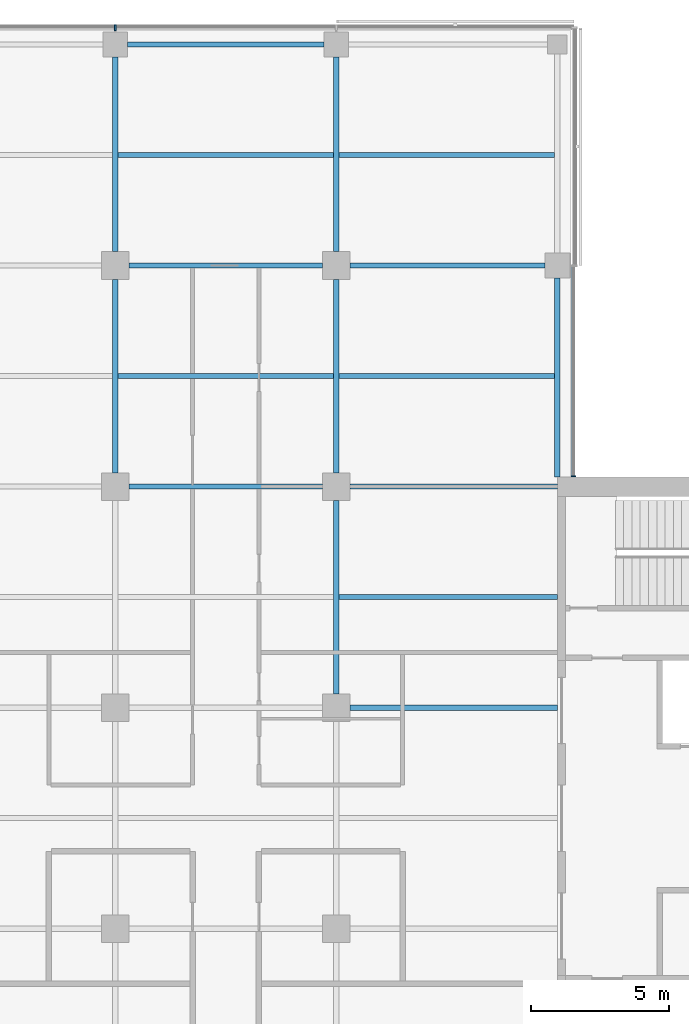
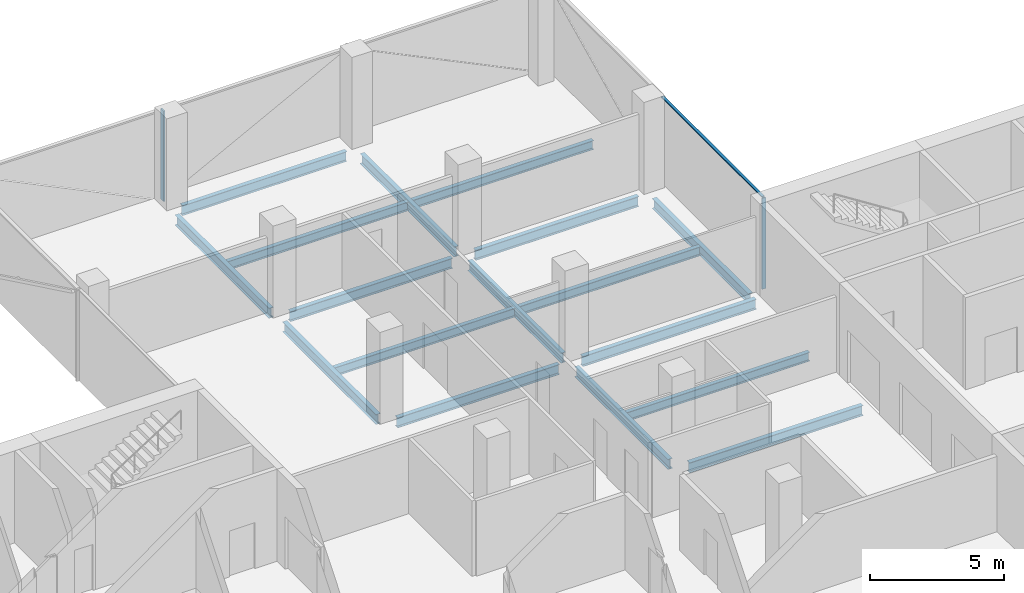
# One storey, part 9 of 22: 17 beams, 3 members, 2 elements without a shape of their own.
"""IFC4 building model written with IfcOpenShell, lengths in metres."""

import ifcopenshell
import ifcopenshell.guid

model = None  # the IFC model being written
_history = None  # IfcOwnerHistory: only IFC2X3 demands one
_inside = {}  # id of a spatial element -> (the spatial element, [elements in it])
_under = {}  # id of a project, library or spatial element -> (it, [spatial elements below it])
_declared = {}  # id of a project -> (the project, [libraries it declares])
_typed = {}  # id of a type object -> (the type object, [elements of that type])
_made_of = {}  # id of a material, layer set ... -> (it, [elements and type objects made of it])


def new_model(schema):
    """Start an empty IFC model of exactly this schema.

    Asked for "IFC4X3", IfcOpenShell would pick the latest addendum, in which some entities
    have other attributes; the version numbers below select the first issue.
    IFC2X3 requires an IfcOwnerHistory on every rooted entity: one is made here for all.
    """
    global model, _history
    if schema == "IFC4X3":
        model = ifcopenshell.file(schema_version=(4, 3, 0, 0))
    else:
        model = ifcopenshell.file(schema=schema)
    _inside.clear()
    _under.clear()
    _declared.clear()
    _typed.clear()
    _made_of.clear()
    _history = None
    if model.schema == "IFC2X3":
        org = make("IfcOrganization", Name="unknown")
        user = make(
            "IfcPersonAndOrganization",
            ThePerson=make("IfcPerson", FamilyName="unknown"),
            TheOrganization=org,
        )
        app = make(
            "IfcApplication",
            ApplicationDeveloper=org,
            Version="unknown",
            ApplicationFullName="unknown",
            ApplicationIdentifier="unknown",
        )
        _history = make(
            "IfcOwnerHistory",
            OwningUser=user,
            OwningApplication=app,
            ChangeAction="ADDED",
            CreationDate=0,
        )
    return model


def make(cls, **values):
    """One entity of the class cls with the attributes given. An attribute that is None is left unset."""
    return model.create_entity(
        cls, **{name: value for name, value in values.items() if value is not None}
    )


def rooted(cls, **values):
    """An entity with a GlobalId (a new one), such as an element, a storey or a relation."""
    return make(cls, GlobalId=ifcopenshell.guid.new(), OwnerHistory=_history, **values)


def si_unit(unit_type, name, prefix=None):
    """IfcSIUnit, for example si_unit("LENGTHUNIT", "METRE", prefix="MILLI")."""
    return make("IfcSIUnit", UnitType=unit_type, Prefix=prefix, Name=name)


def assignment(units):
    """IfcUnitAssignment: the units of a project."""
    return None if units is None else make("IfcUnitAssignment", Units=units)


def point(xyz):
    """IfcCartesianPoint."""
    return None if xyz is None else make("IfcCartesianPoint", Coordinates=xyz)


def direction(xyz):
    """IfcDirection."""
    return None if xyz is None else make("IfcDirection", DirectionRatios=xyz)


def frame(location, z_axis=None, x_axis=None):
    """IfcAxis2Placement3D, a coordinate frame: its origin and axes. An axis left out is left unset."""
    return make(
        "IfcAxis2Placement3D",
        Location=point(location),
        Axis=direction(z_axis),
        RefDirection=direction(x_axis),
    )


def frame_2d(location, x_axis=None):
    """IfcAxis2Placement2D, a coordinate frame in the plane: its origin and x axis."""
    return make(
        "IfcAxis2Placement2D", Location=point(location), RefDirection=direction(x_axis)
    )


def origin():
    """The frame at (0, 0, 0) with its axes left unset."""
    return frame((0.0, 0.0, 0.0))


def origin_2d():
    """The frame at (0, 0) in the plane with its x axis left unset."""
    return frame_2d((0.0, 0.0))


def place(relative_to, where):
    """IfcLocalPlacement: puts the frame where relative to a parent placement (None: the world)."""
    return make(
        "IfcLocalPlacement", PlacementRelTo=relative_to, RelativePlacement=where
    )


def context(
    kind, dimensions, precision=None, world=None, true_north=None, identifier=None
):
    """IfcGeometricRepresentationContext, for example the 3D "Model" context."""
    return make(
        "IfcGeometricRepresentationContext",
        ContextIdentifier=identifier,
        ContextType=kind,
        CoordinateSpaceDimension=dimensions,
        Precision=precision,
        WorldCoordinateSystem=world,
        TrueNorth=true_north,
    )


def subcontext(parent, identifier, kind, view, scale=None):
    """IfcGeometricRepresentationSubContext, for example "Body" below "Model"."""
    return make(
        "IfcGeometricRepresentationSubContext",
        ContextIdentifier=identifier,
        ContextType=kind,
        ParentContext=parent,
        TargetScale=scale,
        TargetView=view,
    )


def project(units=None, contexts=None):
    """IfcProject with its units and contexts."""
    return rooted(
        "IfcProject",
        Name="project",
        RepresentationContexts=contexts,
        UnitsInContext=assignment(units),
    )


def spatial(cls, under=None, at=None, **own):
    """A site, building, storey or space (cls), placed at a placement, below another one or the project."""
    s = rooted(cls, ObjectPlacement=at, **own)
    if under is not None:
        _under.setdefault(under.id(), (under, []))[1].append(s)
    return s


def profile(cls, at=None, kind="AREA", **sizes):
    """A parametric profile (cls). Its sizes go by their IFC names, for example OverallWidth=200.0."""
    return make(cls, ProfileType=kind, Position=at, **sizes)


def rectangle(**sizes):
    """IfcRectangleProfileDef."""
    return profile("IfcRectangleProfileDef", **sizes)


def i_section(**sizes):
    """IfcIShapeProfileDef."""
    return profile("IfcIShapeProfileDef", **sizes)


def extrude(swept, where, along, depth):
    """IfcExtrudedAreaSolid: the profile swept, set in the frame where, extruded along a direction by depth."""
    return make(
        "IfcExtrudedAreaSolid",
        SweptArea=swept,
        Position=where,
        ExtrudedDirection=direction(along),
        Depth=depth,
    )


def shape(context_of_items, identifier, shape_type, items):
    """IfcShapeRepresentation: the items that make up one representation, for example the "Body"."""
    return make(
        "IfcShapeRepresentation",
        ContextOfItems=context_of_items,
        RepresentationIdentifier=identifier,
        RepresentationType=shape_type,
        Items=items,
    )


def material(Name=None, Category=None):
    """IfcMaterial."""
    return make("IfcMaterial", Name=Name, Category=Category)


def material_profile(
    of_material, cross_section, Name=None, Category=None, Priority=None
):
    """IfcMaterialProfile: a cross section and its material."""
    return make(
        "IfcMaterialProfile",
        Name=Name,
        Material=of_material,
        Profile=cross_section,
        Priority=Priority,
        Category=Category,
    )


def profile_set(profiles, Name=None, composite=None):
    """IfcMaterialProfileSet."""
    return make(
        "IfcMaterialProfileSet",
        Name=Name,
        MaterialProfiles=profiles,
        CompositeProfile=composite,
    )


def made_of(thing, what):
    """Note that an element or type object is made of a material, layer set ...; save() writes the relation."""
    if what is not None:
        _made_of.setdefault(what.id(), (what, []))[1].append(thing)
    return thing


def type_object(cls, material=None, **own):
    """A type object (cls), such as IfcWallType, which elements share."""
    return made_of(rooted(cls, **own), material)


def element(
    cls,
    number,
    at=None,
    inside=None,
    cuts=None,
    type_object=None,
    material=None,
    context=None,
    identifier="Body",
    shape_type=None,
    held_by="IfcProductDefinitionShape",
    body=None,
    shapes=None,
    **own,
):
    """One element of the class cls, such as IfcWall. Its Tag is "e" and its number.

    at: its placement. inside: the storey or other place that contains it. cuts: it is an
    opening in that element (IfcRelVoidsElement). A single representation is given by context,
    identifier, shape_type and body (its items); several are given by shapes. held_by: the class
    of the entity that holds the representations. save() writes the other relations.
    """
    e = rooted(cls, Tag="e%d" % number, ObjectPlacement=at, **own)
    if body is not None:
        shapes = [shape(context, identifier, shape_type, body)]
    if shapes is not None:
        e.Representation = make(held_by, Representations=shapes)
    if inside is not None:
        _inside.setdefault(inside.id(), (inside, []))[1].append(e)
    if cuts is not None:
        rooted(
            "IfcRelVoidsElement", RelatingBuildingElement=cuts, RelatedOpeningElement=e
        )
    if type_object is not None:
        _typed.setdefault(type_object.id(), (type_object, []))[1].append(e)
    return made_of(e, material)


def aggregate(whole, parts):
    """IfcRelAggregates: a whole, such as a stair, and the parts it consists of."""
    return rooted("IfcRelAggregates", RelatingObject=whole, RelatedObjects=parts)


def save(model, path):
    """Write the relations noted so far, then the file.

    IfcRelAggregates (storeys below a building ...), IfcRelContainedInSpatialStructure (elements
    in a storey), IfcRelDefinesByType, IfcRelAssociatesMaterial and IfcRelDeclares: one each for
    every whole, place, type object, material and project.
    """
    for whole, parts in _under.values():
        aggregate(whole, parts)
    for where, things in _inside.values():
        rooted(
            "IfcRelContainedInSpatialStructure",
            RelatedElements=things,
            RelatingStructure=where,
        )
    for kind, things in _typed.values():
        rooted("IfcRelDefinesByType", RelatedObjects=things, RelatingType=kind)
    for what, things in _made_of.values():
        rooted("IfcRelAssociatesMaterial", RelatedObjects=things, RelatingMaterial=what)
    for by, libraries in _declared.values():
        rooted("IfcRelDeclares", RelatingContext=by, RelatedDefinitions=libraries)
    model.write(path)


model = new_model("IFC4")

# Units and contexts
model_context = context("Model", 3, precision=1e-05, world=origin(), true_north=direction((0.0, 1.0)))
body_context = subcontext(model_context, "Body", "Model", "MODEL_VIEW")
ifc_project = project(units=[si_unit("LENGTHUNIT", "METRE"), si_unit("AREAUNIT", "SQUARE_METRE"), si_unit("VOLUMEUNIT", "CUBIC_METRE"), si_unit("PLANEANGLEUNIT", "RADIAN"), si_unit("MASSUNIT", "GRAM", prefix="KILO")], contexts=[model_context])

# Site, building, storey
site_placement = place(None, origin())
site = spatial("IfcSite", under=ifc_project, at=site_placement, CompositionType="ELEMENT")
building_placement = place(site_placement, origin())
building = spatial("IfcBuilding", under=site, at=building_placement, Name="Crosswind Convention Tower", CompositionType="ELEMENT")
storey_placement = place(building_placement, frame((0.0, 0.0, 142.10009765625)))
storey = spatial("IfcBuildingStorey", under=building, at=storey_placement, Name="L29", CompositionType="ELEMENT", Elevation=142.10009765625)

# Beams
ifc_material_1 = material(Name="Steel S355", Category="steel")
ifc_material_profile_1 = material_profile(ifc_material_1, i_section(OverallWidth=0.18994140625, OverallDepth=0.45361328125, WebThickness=0.008544921875, FlangeThickness=0.0126953125, FilletRadius=0.01025390625, at=origin_2d()), Name="UB 457x191x67")
ifc_profile_set_1 = profile_set([ifc_material_profile_1], Name="Steel S355")
beam_type_1 = type_object("IfcBeamType", Name="Edge beam UB 457x191x67", PredefinedType="SPANDREL", material=ifc_profile_set_1)
beam_1_placement = place(storey_placement, frame((121.449951171875, 128.0, -0.52685546875), z_axis=(1.0, 0.0, 0.0), x_axis=(0.0, 1.0, 0.0)))
element("IfcBeam", 1, at=beam_1_placement, inside=storey, type_object=beam_type_1, Name="B16 L29 edge beam 13", PredefinedType="SPANDREL", context=body_context, shape_type="SweptSolid", body=[
    extrude(i_section(OverallWidth=0.18994140625, OverallDepth=0.45361328125, WebThickness=0.008544921875, FlangeThickness=0.0126953125, FilletRadius=0.01025390625, at=origin_2d()), origin(), (0.0, 0.0, 1.0), 7.10009765625),
])
beam_2_placement = place(storey_placement, frame((137.0, 112.35009765625, -0.52685546875), z_axis=(0.0, 1.0, 0.0), x_axis=(-1.0, 0.0, 0.0)))
element("IfcBeam", 2, at=beam_2_placement, inside=storey, type_object=beam_type_1, Name="B16 L29 edge beam 18", PredefinedType="SPANDREL", context=body_context, shape_type="SweptSolid", body=[
    extrude(i_section(OverallWidth=0.18994140625, OverallDepth=0.45361328125, WebThickness=0.008544921875, FlangeThickness=0.0126953125, FilletRadius=0.01025390625, at=origin_2d()), origin(), (0.0, 0.0, 1.0), 7.199951171875),
])
ifc_material_profile_2 = material_profile(ifc_material_1, i_section(OverallWidth=0.19140625, OverallDepth=0.460205078125, WebThickness=0.010009765625, FlangeThickness=0.01611328125, FilletRadius=0.01025390625, at=origin_2d()), Name="UB 457x191x82")
ifc_profile_set_2 = profile_set([ifc_material_profile_2], Name="Steel S355")
beam_type_2 = type_object("IfcBeamType", Name="Girder UB 457x191x82", PredefinedType="BEAM", material=ifc_profile_set_2)
beam_3_placement = place(storey_placement, frame((121.0, 112.5, -0.5302734375), z_axis=(0.0, 1.0, 0.0), x_axis=(-1.0, 0.0, 0.0)))
element("IfcBeam", 3, at=beam_3_placement, inside=storey, type_object=beam_type_2, Name="B3 L29 girder 8", PredefinedType="BEAM", context=body_context, shape_type="SweptSolid", body=[
    extrude(i_section(OverallWidth=0.19140625, OverallDepth=0.460205078125, WebThickness=0.010009765625, FlangeThickness=0.01611328125, FilletRadius=0.01025390625, at=origin_2d()), origin(), (0.0, 0.0, 1.0), 7.0),
])
beam_4_placement = place(storey_placement, frame((121.0, 120.5, -0.5302734375), z_axis=(0.0, 1.0, 0.0), x_axis=(-1.0, 0.0, 0.0)))
element("IfcBeam", 4, at=beam_4_placement, inside=storey, type_object=beam_type_2, Name="B3 L29 girder 9", PredefinedType="BEAM", context=body_context, shape_type="SweptSolid", body=[
    extrude(i_section(OverallWidth=0.19140625, OverallDepth=0.460205078125, WebThickness=0.010009765625, FlangeThickness=0.01611328125, FilletRadius=0.01025390625, at=origin_2d()), origin(), (0.0, 0.0, 1.0), 7.050048828125),
])
for number, where, z_axis, x_axis, name in (
    (5, (121.5, 112.0, -0.5302734375), (1.0, 0.0, 0.0), (0.0, 1.0, 0.0), "B3 L29 girder 14"),
    (6, (121.5, 120.0, -0.5302734375), (1.0, 0.0, 0.0), (0.0, 1.0, 0.0), "B3 L29 girder 15"),
    (7, (129.0, 104.5, -0.5302734375), (0.0, 1.0, 0.0), (-1.0, 0.0, 0.0), "B3 L29 girder 20"),
    (8, (129.0, 112.5, -0.5302734375), (0.0, 1.0, 0.0), (-1.0, 0.0, 0.0), "B3 L29 girder 21"),
):
    element("IfcBeam", number, at=place(storey_placement, frame(where, z_axis=z_axis, x_axis=x_axis)), inside=storey, type_object=beam_type_2, Name=name, PredefinedType="BEAM", context=body_context, shape_type="SweptSolid", body=[
        extrude(i_section(OverallWidth=0.19140625, OverallDepth=0.460205078125, WebThickness=0.010009765625, FlangeThickness=0.01611328125, FilletRadius=0.01025390625, at=origin_2d()), origin(), (0.0, 0.0, 1.0), 7.0),
    ])
for number, where, z_axis, x_axis, name in (
    (9, (129.0, 120.5, -0.5302734375), (0.0, 1.0, 0.0), (-1.0, 0.0, 0.0), "B3 L29 girder 22"),
    (10, (129.5, 120.0, -0.5302734375), (1.0, 0.0, 0.0), (0.0, 1.0, 0.0), "B3 L29 girder 24"),
):
    element("IfcBeam", number, at=place(storey_placement, frame(where, z_axis=z_axis, x_axis=x_axis)), inside=storey, type_object=beam_type_2, Name=name, PredefinedType="BEAM", context=body_context, shape_type="SweptSolid", body=[
        extrude(i_section(OverallWidth=0.19140625, OverallDepth=0.460205078125, WebThickness=0.010009765625, FlangeThickness=0.01611328125, FilletRadius=0.01025390625, at=origin_2d()), origin(), (0.0, 0.0, 1.0), 7.050048828125),
    ])
ifc_material_profile_3 = material_profile(ifc_material_1, i_section(OverallWidth=0.19189453125, OverallDepth=0.463623046875, WebThickness=0.010498046875, FlangeThickness=0.017578125, FilletRadius=0.01025390625, at=origin_2d()), Name="UB 457x191x90")
ifc_profile_set_3 = profile_set([ifc_material_profile_3], Name="Steel S355")
beam_type_3 = type_object("IfcBeamType", Name="Girder at core wall UB 457x191x90", PredefinedType="BEAM", material=ifc_profile_set_3)
for number, where, z_axis, x_axis, name in (
    (11, (129.5, 104.0, -0.531982421875), (1.0, 0.0, 0.0), (0.0, 1.0, 0.0), "B24 L29 girder at core wall 9"),
    (12, (129.5, 112.0, -0.531982421875), (1.0, 0.0, 0.0), (0.0, 1.0, 0.0), "B24 L29 girder at core wall 10"),
):
    element("IfcBeam", number, at=place(storey_placement, frame(where, z_axis=z_axis, x_axis=x_axis)), inside=storey, type_object=beam_type_3, Name=name, PredefinedType="BEAM", context=body_context, shape_type="SweptSolid", body=[
        extrude(i_section(OverallWidth=0.19189453125, OverallDepth=0.463623046875, WebThickness=0.010498046875, FlangeThickness=0.017578125, FilletRadius=0.01025390625, at=origin_2d()), origin(), (0.0, 0.0, 1.0), 7.5),
    ])

# Curtain wall, member
ifc_material_2 = material(Name="Aluminium unitised curtain wall", Category="aluminium")
curtain_wall_type_1 = type_object("IfcCurtainWallType", Name="CORE END SLOT WALL 160", PredefinedType="USERDEFINED", material=ifc_material_2)
curtain_wall_1_placement = place(storey_placement, origin())
curtain_wall_1 = element("IfcCurtainWall", 13, at=curtain_wall_1_placement, inside=storey, type_object=curtain_wall_type_1, Name="CW6 L29 N-E.1-1 slot", ObjectType="UNITISED", PredefinedType="USERDEFINED")
ifc_material_3 = material(Name="Aluminium mullion", Category="aluminium")
ifc_material_profile_4 = material_profile(ifc_material_3, rectangle(XDim=0.159912109375, YDim=0.050048828125, at=origin_2d()), Name="AL 160X50")
ifc_profile_set_4 = profile_set([ifc_material_profile_4], Name="Aluminium mullion")
member_type_1 = type_object("IfcMemberType", Name="MULLION 50X160", PredefinedType="MULLION", material=ifc_profile_set_4)
member_1_placement = place(storey_placement, frame((137.580078125, 112.375, -0.300048828125), z_axis=(0.0, 0.0, 1.0), x_axis=(1.0, 0.0, 0.0)))
member_1 = element("IfcMember", 14, at=member_1_placement, type_object=member_type_1, Name="CW6 mullion 1", PredefinedType="MULLION", context=body_context, shape_type="SweptSolid", body=[
    extrude(rectangle(XDim=0.159912109375, YDim=0.050048828125, at=origin_2d()), origin(), (0.0, 0.0, 1.0), 4.14990234375),
])

curtain_wall_type_2 = type_object("IfcCurtainWallType", Name="OFFICE UNITISED WALL 220", PredefinedType="USERDEFINED", material=ifc_material_2)
curtain_wall_2_placement = place(storey_placement, origin())
curtain_wall_2 = element("IfcCurtainWall", 15, at=curtain_wall_2_placement, inside=storey, type_object=curtain_wall_type_2, Name="CW3 L29 N-TIP 1", ObjectType="UNITISED", PredefinedType="USERDEFINED")
ifc_material_profile_5 = material_profile(ifc_material_3, rectangle(XDim=0.219970703125, YDim=0.070068359375, at=origin_2d()), Name="AL 220X70")
ifc_profile_set_5 = profile_set([ifc_material_profile_5], Name="Aluminium mullion")
member_type_2 = type_object("IfcMemberType", Name="MULLION 70X220", PredefinedType="MULLION", material=ifc_profile_set_5)
member_2_placement = place(storey_placement, frame((121.0, 128.610107421875, -0.300048828125), z_axis=(0.0, 0.0, 1.0), x_axis=(0.0, 1.0, 0.0)))
member_2 = element("IfcMember", 16, at=member_2_placement, type_object=member_type_2, Name="CW3 mullion 3", PredefinedType="MULLION", context=body_context, shape_type="SweptSolid", body=[
    extrude(rectangle(XDim=0.219970703125, YDim=0.070068359375, at=origin_2d()), origin(), (0.0, 0.0, 1.0), 4.1298828125),
])
aggregate(curtain_wall_2, [member_2])

# Beams
ifc_material_profile_6 = material_profile(ifc_material_1, i_section(OverallWidth=0.177734375, OverallDepth=0.406494140625, WebThickness=0.0078125, FlangeThickness=0.0126953125, FilletRadius=0.01025390625, at=origin_2d()), Name="UB 406x178x60")
ifc_profile_set_6 = profile_set([ifc_material_profile_6], Name="Steel S355")
beam_type_4 = type_object("IfcBeamType", Name="Secondary beam UB 406x178x60", PredefinedType="JOIST", material=ifc_profile_set_6)
for number, where, z_axis, x_axis, name in (
    (17, (121.095703125, 116.0, -0.50341796875), (1.0, 0.0, 0.0), (0.0, 1.0, 0.0), "B10 L29 secondary beam 16"),
    (18, (121.095703125, 124.0, -0.50341796875), (1.0, 0.0, 0.0), (0.0, 1.0, 0.0), "B10 L29 secondary beam 17"),
):
    element("IfcBeam", number, at=place(storey_placement, frame(where, z_axis=z_axis, x_axis=x_axis)), inside=storey, type_object=beam_type_4, Name=name, PredefinedType="JOIST", context=body_context, shape_type="SweptSolid", body=[
        extrude(i_section(OverallWidth=0.177734375, OverallDepth=0.406494140625, WebThickness=0.0078125, FlangeThickness=0.0126953125, FilletRadius=0.01025390625, at=origin_2d()), origin(), (0.0, 0.0, 1.0), 7.80859375),
    ])
beam_5_placement = place(storey_placement, frame((129.095703125, 108.0, -0.50341796875), z_axis=(1.0, 0.0, 0.0), x_axis=(0.0, 1.0, 0.0)))
element("IfcBeam", 19, at=beam_5_placement, inside=storey, type_object=beam_type_4, Name="B10 L29 secondary beam 22", PredefinedType="JOIST", context=body_context, shape_type="SweptSolid", body=[
    extrude(i_section(OverallWidth=0.177734375, OverallDepth=0.406494140625, WebThickness=0.0078125, FlangeThickness=0.0126953125, FilletRadius=0.01025390625, at=origin_2d()), origin(), (0.0, 0.0, 1.0), 7.904296875),
])
for number, where, z_axis, x_axis, name in (
    (20, (129.095703125, 116.0, -0.50341796875), (1.0, 0.0, 0.0), (0.0, 1.0, 0.0), "B10 L29 secondary beam 23"),
    (21, (129.095703125, 124.0, -0.50341796875), (1.0, 0.0, 0.0), (0.0, 1.0, 0.0), "B10 L29 secondary beam 24"),
):
    element("IfcBeam", number, at=place(storey_placement, frame(where, z_axis=z_axis, x_axis=x_axis)), inside=storey, type_object=beam_type_4, Name=name, PredefinedType="JOIST", context=body_context, shape_type="SweptSolid", body=[
        extrude(i_section(OverallWidth=0.177734375, OverallDepth=0.406494140625, WebThickness=0.0078125, FlangeThickness=0.0126953125, FilletRadius=0.01025390625, at=origin_2d()), origin(), (0.0, 0.0, 1.0), 7.809326171875),
    ])

# Member
ifc_material_4 = material(Name="Aluminium transom", Category="aluminium")
ifc_material_profile_7 = material_profile(ifc_material_4, rectangle(XDim=0.1201171875, YDim=0.050048828125, at=origin_2d()), Name="AL 120X50")
ifc_profile_set_7 = profile_set([ifc_material_profile_7], Name="Aluminium transom")
member_type_3 = type_object("IfcMemberType", Name="TRANSOM 50X120", PredefinedType="USERDEFINED", material=ifc_profile_set_7)
member_3_placement = place(storey_placement, frame((137.580078125, 112.39990234375, 3.875), z_axis=(0.0, 1.0, 0.0), x_axis=(-1.0, 0.0, 0.0)))
member_3 = element("IfcMember", 22, at=member_3_placement, type_object=member_type_3, Name="CW6 transom", ObjectType="TRANSOM", PredefinedType="USERDEFINED", context=body_context, shape_type="SweptSolid", body=[
    extrude(rectangle(XDim=0.1201171875, YDim=0.050048828125, at=origin_2d()), origin(), (0.0, 0.0, 1.0), 7.550048828125),
])

aggregate(curtain_wall_1, [member_1, member_3])

save(model, "model.ifc")
